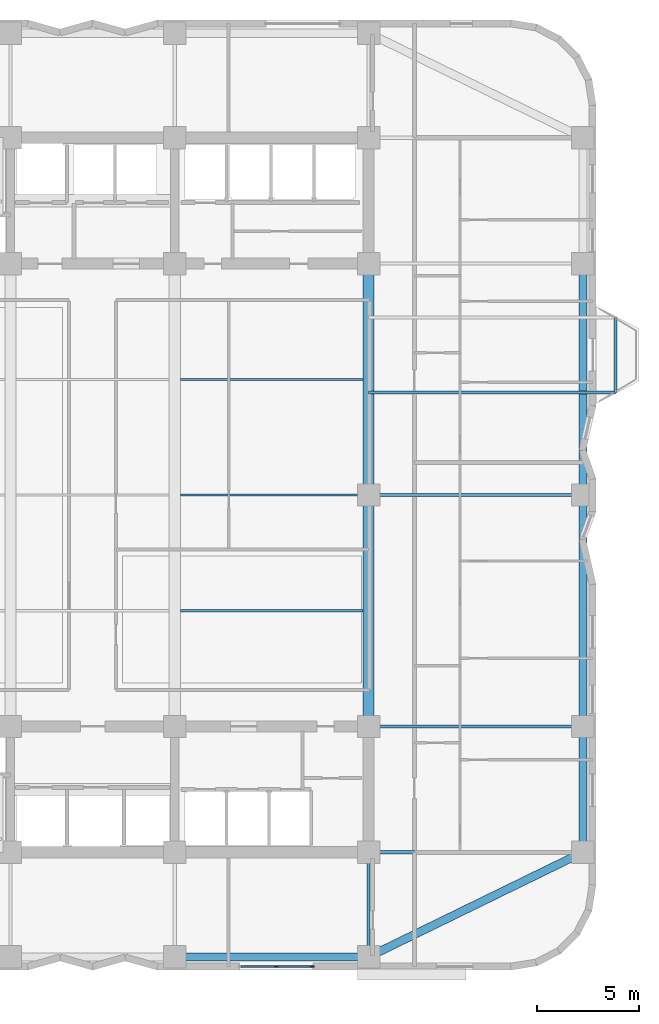
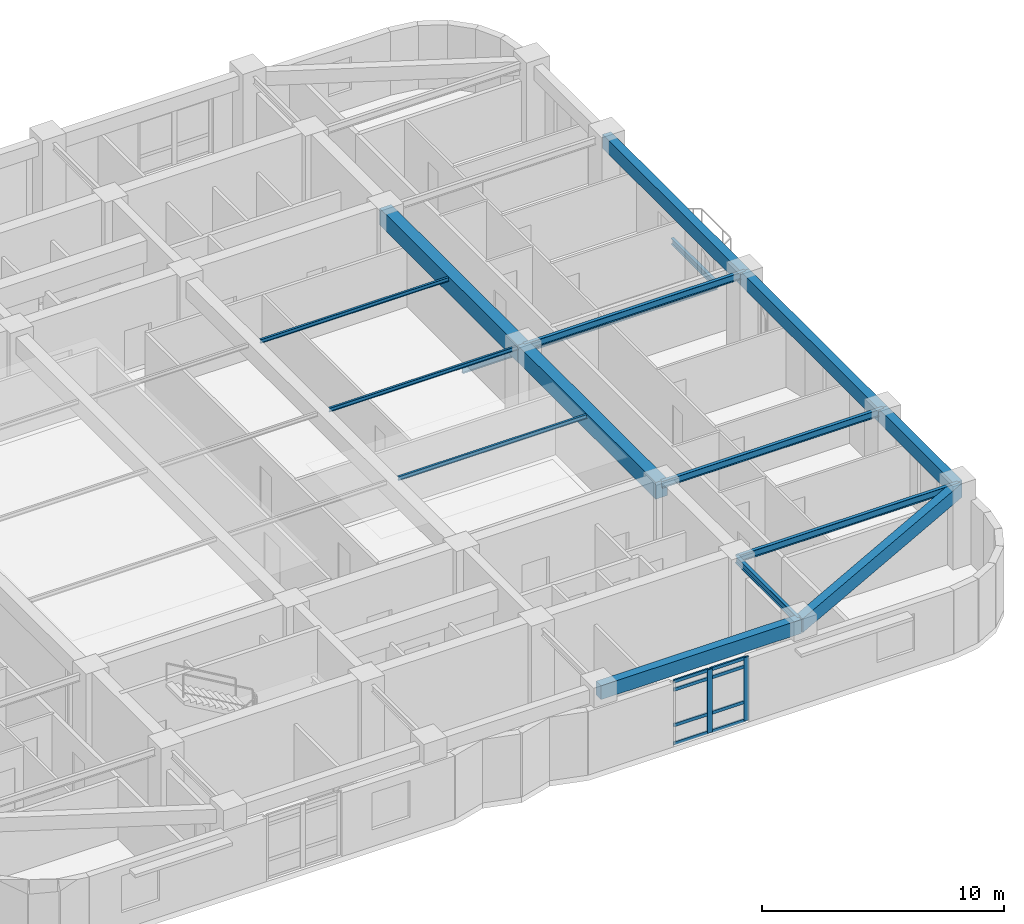
# One storey, part 3 of 15: 16 beams, 10 members, 1 element without a shape of its own.
"""IFC4 building model written with IfcOpenShell, lengths in metres."""

from ifc_helpers import new_model, si_unit, direction, frame, origin, origin_2d, place, context, subcontext, project, spatial, rectangle, i_section, extrude, material, material_profile, profile_set, type_object, element, aggregate, save


model = new_model("IFC4")

# Units and contexts
model_context = context("Model", 3, precision=1e-05, world=origin(), true_north=direction((0.0, 1.0)))
body_context = subcontext(model_context, "Body", "Model", "MODEL_VIEW")
ifc_project = project(units=[si_unit("LENGTHUNIT", "METRE"), si_unit("AREAUNIT", "SQUARE_METRE"), si_unit("VOLUMEUNIT", "CUBIC_METRE"), si_unit("PLANEANGLEUNIT", "RADIAN"), si_unit("MASSUNIT", "GRAM", prefix="KILO")], contexts=[model_context])

# Site, building, storey
site_placement = place(None, origin())
site = spatial("IfcSite", under=ifc_project, at=site_placement, CompositionType="ELEMENT")
building_placement = place(site_placement, origin())
building = spatial("IfcBuilding", under=site, at=building_placement, Name="Svetorya Sky Lyceum", CompositionType="ELEMENT")
storey_placement = place(building_placement, frame((0.0, 0.0, 84.10009765625)))
storey = spatial("IfcBuildingStorey", under=building, at=storey_placement, Name="L20", CompositionType="ELEMENT", Elevation=84.10009765625)

# Beams
ifc_material_1 = material(Name="Concrete C50/60", Category="concrete")
ifc_material_profile_1 = material_profile(ifc_material_1, rectangle(XDim=0.550048828125, YDim=0.85009765625, at=origin_2d()), Name="RC BEAM 550x850")
ifc_profile_set_1 = profile_set([ifc_material_profile_1], Name="Concrete C50/60")
beam_type_1 = type_object("IfcBeamType", Name="BM-RC-850", PredefinedType="BEAM", material=ifc_profile_set_1)
beam_1_placement = place(storey_placement, frame((52.800048828125, 16.800048828125, 3.494873046875), z_axis=(0.0, 1.0, 0.0), x_axis=(-1.0, 0.0, 0.0)))
element("IfcBeam", 1, at=beam_1_placement, inside=storey, type_object=beam_type_1, Name="L20 Central Bay Primary Girder CG-4A", PredefinedType="BEAM", context=body_context, shape_type="SweptSolid", body=[
    extrude(rectangle(XDim=0.550048828125, YDim=0.85009765625, at=origin_2d()), origin(), (0.0, 0.0, 1.0), 11.39990234375),
])
beam_2_placement = place(storey_placement, frame((52.800048828125, 28.199951171875, 3.494873046875), z_axis=(0.0, 1.0, 0.0), x_axis=(-1.0, 0.0, 0.0)))
element("IfcBeam", 2, at=beam_2_placement, inside=storey, type_object=beam_type_1, Name="L20 Central Bay Primary Girder CG-4B", PredefinedType="BEAM", context=body_context, shape_type="SweptSolid", body=[
    extrude(rectangle(XDim=0.550048828125, YDim=0.85009765625, at=origin_2d()), origin(), (0.0, 0.0, 1.0), 11.400146484375),
])
ifc_material_profile_2 = material_profile(ifc_material_1, rectangle(XDim=0.39990234375, YDim=0.699951171875, at=origin_2d()), Name="RC SPANDREL 400x700")
ifc_profile_set_2 = profile_set([ifc_material_profile_2], Name="Concrete C50/60")
beam_type_2 = type_object("IfcBeamType", Name="BM-SPN-700", PredefinedType="SPANDREL", material=ifc_profile_set_2)
beam_3_placement = place(storey_placement, frame((43.25, 5.449951171875, 3.56982421875), z_axis=(1.0, 0.0, 0.0), x_axis=(0.0, 1.0, 0.0)))
element("IfcBeam", 3, at=beam_3_placement, inside=storey, type_object=beam_type_2, Name="L20 South Spandrel 3", PredefinedType="SPANDREL", context=body_context, shape_type="SweptSolid", body=[
    extrude(rectangle(XDim=0.39990234375, YDim=0.699951171875, at=origin_2d()), origin(), (0.0, 0.0, 1.0), 9.550048828125),
])
beam_4_placement = place(storey_placement, frame((52.800048828125, 5.449951171875, 3.56982421875), z_axis=(0.898641495694, 0.438683783854, 0.0), x_axis=(-0.438683783854, 0.898641495694, 0.0)))
element("IfcBeam", 4, at=beam_4_placement, inside=storey, type_object=beam_type_2, Name="L20 Corner Spandrel 2", PredefinedType="SPANDREL", context=body_context, shape_type="SweptSolid", body=[
    extrude(rectangle(XDim=0.39990234375, YDim=0.699951171875, at=origin_2d()), origin(), (0.0, 0.0, 1.0), 11.739990234375),
])
beam_5_placement = place(storey_placement, frame((63.35009765625, 10.60009765625, 3.56982421875), z_axis=(0.0, 1.0, 0.0), x_axis=(-1.0, 0.0, 0.0)))
element("IfcBeam", 5, at=beam_5_placement, inside=storey, type_object=beam_type_2, Name="L20 East Spandrel 1", PredefinedType="SPANDREL", context=body_context, shape_type="SweptSolid", body=[
    extrude(rectangle(XDim=0.39990234375, YDim=0.699951171875, at=origin_2d()), origin(), (0.0, 0.0, 1.0), 6.199951171875),
])
beam_6_placement = place(storey_placement, frame((63.35009765625, 16.800048828125, 3.56982421875), z_axis=(0.0, 1.0, 0.0), x_axis=(-1.0, 0.0, 0.0)))
element("IfcBeam", 6, at=beam_6_placement, inside=storey, type_object=beam_type_2, Name="L20 East Spandrel 2", PredefinedType="SPANDREL", context=body_context, shape_type="SweptSolid", body=[
    extrude(rectangle(XDim=0.39990234375, YDim=0.699951171875, at=origin_2d()), origin(), (0.0, 0.0, 1.0), 11.39990234375),
])
beam_7_placement = place(storey_placement, frame((63.35009765625, 28.199951171875, 3.56982421875), z_axis=(0.0, 1.0, 0.0), x_axis=(-1.0, 0.0, 0.0)))
element("IfcBeam", 7, at=beam_7_placement, inside=storey, type_object=beam_type_2, Name="L20 East Spandrel 3", PredefinedType="SPANDREL", context=body_context, shape_type="SweptSolid", body=[
    extrude(rectangle(XDim=0.39990234375, YDim=0.699951171875, at=origin_2d()), origin(), (0.0, 0.0, 1.0), 11.400146484375),
])
ifc_material_2 = material(Name="Steel S355", Category="steel")
ifc_material_profile_3 = material_profile(ifc_material_2, i_section(OverallWidth=0.10009765625, OverallDepth=0.199951171875, WebThickness=0.005615234375, FlangeThickness=0.008544921875, at=origin_2d()), Name="GOST 20B1")
ifc_profile_set_3 = profile_set([ifc_material_profile_3], Name="Steel S355")
beam_type_3 = type_object("IfcBeamType", Name="BM-STL-20B1", PredefinedType="JOIST", material=ifc_profile_set_3)
for number, where, z_axis, x_axis, name in (
    (8, (43.52490234375, 22.5, 3.81982421875), (1.0, 0.0, 0.0), (0.0, 1.0, 0.0), "L20 Central Floor Joist CJ-1.3"),
    (9, (43.52490234375, 28.199951171875, 3.81982421875), (1.0, 0.0, 0.0), (0.0, 1.0, 0.0), "L20 Central Floor Joist CJ-2.3"),
    (10, (43.52490234375, 33.89990234375, 3.81982421875), (1.0, 0.0, 0.0), (0.0, 1.0, 0.0), "L20 Central Floor Joist CJ-3.3"),
):
    element("IfcBeam", number, at=place(storey_placement, frame(where, z_axis=z_axis, x_axis=x_axis)), inside=storey, type_object=beam_type_3, Name=name, PredefinedType="JOIST", context=body_context, shape_type="SweptSolid", body=[
        extrude(i_section(OverallWidth=0.10009765625, OverallDepth=0.199951171875, WebThickness=0.005615234375, FlangeThickness=0.008544921875, at=origin_2d()), origin(), (0.0, 0.0, 1.0), 9.0),
    ])
ifc_material_profile_4 = material_profile(ifc_material_2, i_section(OverallWidth=0.14990234375, OverallDepth=0.299072265625, WebThickness=0.006591796875, FlangeThickness=0.010498046875, at=origin_2d()), Name="GOST 30B2")
ifc_profile_set_4 = profile_set([ifc_material_profile_4], Name="Steel S355")
beam_type_4 = type_object("IfcBeamType", Name="BM-STL-30B2", PredefinedType="JOIST", material=ifc_profile_set_4)
beam_8_placement = place(storey_placement, frame((64.949951171875, 33.25, -0.45458984375), z_axis=(0.0, 1.0, 0.0), x_axis=(-1.0, 0.0, 0.0)))
element("IfcBeam", 11, at=beam_8_placement, inside=storey, type_object=beam_type_4, Name="L20 Balcony Edge Tie BAL-E1", PredefinedType="JOIST", context=body_context, shape_type="SweptSolid", body=[
    extrude(i_section(OverallWidth=0.14990234375, OverallDepth=0.299072265625, WebThickness=0.006591796875, FlangeThickness=0.010498046875, at=origin_2d()), origin(), (0.0, 0.0, 1.0), 3.699951171875),
])
ifc_material_profile_5 = material_profile(ifc_material_2, i_section(OverallWidth=0.155029296875, OverallDepth=0.34912109375, WebThickness=0.007080078125, FlangeThickness=0.011474609375, at=origin_2d()), Name="GOST 35B2")
ifc_profile_set_5 = profile_set([ifc_material_profile_5], Name="Steel S355")
beam_type_5 = type_object("IfcBeamType", Name="BM-STL-35B2", PredefinedType="JOIST", material=ifc_profile_set_5)
beam_9_placement = place(storey_placement, frame((52.800048828125, 33.25, -0.45458984375), z_axis=(1.0, 0.0, 0.0), x_axis=(0.0, 1.0, 0.0)))
element("IfcBeam", 12, at=beam_9_placement, inside=storey, type_object=beam_type_5, Name="L20 Balcony Cantilever Beam BAL-E1-1", PredefinedType="JOIST", context=body_context, shape_type="SweptSolid", body=[
    extrude(i_section(OverallWidth=0.155029296875, OverallDepth=0.34912109375, WebThickness=0.007080078125, FlangeThickness=0.011474609375, at=origin_2d()), origin(), (0.0, 0.0, 1.0), 12.14990234375),
])
for number, where, z_axis, x_axis, name in (
    (13, (52.800048828125, 10.60009765625, 3.745361328125), (1.0, 0.0, 0.0), (0.0, 1.0, 0.0), "L20 East Wing Floor Joist E1"),
    (14, (52.800048828125, 16.800048828125, 3.745361328125), (1.0, 0.0, 0.0), (0.0, 1.0, 0.0), "L20 East Wing Floor Joist E2"),
    (15, (52.800048828125, 28.199951171875, 3.745361328125), (1.0, 0.0, 0.0), (0.0, 1.0, 0.0), "L20 East Wing Floor Joist E3"),
):
    element("IfcBeam", number, at=place(storey_placement, frame(where, z_axis=z_axis, x_axis=x_axis)), inside=storey, type_object=beam_type_5, Name=name, PredefinedType="JOIST", context=body_context, shape_type="SweptSolid", body=[
        extrude(i_section(OverallWidth=0.155029296875, OverallDepth=0.34912109375, WebThickness=0.007080078125, FlangeThickness=0.011474609375, at=origin_2d()), origin(), (0.0, 0.0, 1.0), 10.550048828125),
    ])
beam_10_placement = place(storey_placement, frame((52.800048828125, 5.449951171875, 3.745361328125), z_axis=(0.0, 1.0, 0.0), x_axis=(-1.0, 0.0, 0.0)))
element("IfcBeam", 16, at=beam_10_placement, inside=storey, type_object=beam_type_5, Name="L20 South Bay Floor Girder S4", PredefinedType="JOIST", context=body_context, shape_type="SweptSolid", body=[
    extrude(i_section(OverallWidth=0.155029296875, OverallDepth=0.34912109375, WebThickness=0.007080078125, FlangeThickness=0.011474609375, at=origin_2d()), origin(), (0.0, 0.0, 1.0), 5.150146484375),
])

# Curtain wall, members
ifc_material_3 = material(Name="Thermally broken anodized aluminium and triple low-E glass", Category="aluminium")
curtain_wall_type = type_object("IfcCurtainWallType", Name="CW4-SKY-GALL", PredefinedType="NOTDEFINED", material=ifc_material_3)
curtain_wall_placement = place(storey_placement, origin())
curtain_wall = element("IfcCurtainWall", 17, at=curtain_wall_placement, inside=storey, type_object=curtain_wall_type, Name="L20 Sky-Lobby Panorama Curtain Wall 11", PredefinedType="NOTDEFINED")
ifc_material_4 = material(Name="Thermally broken anodized aluminium EN AW-6060", Category="aluminium")
ifc_material_profile_6 = material_profile(ifc_material_4, rectangle(XDim=0.0849609375, YDim=0.239990234375, at=origin_2d()), Name="ALU MULLION 85x240")
ifc_profile_set_6 = profile_set([ifc_material_profile_6], Name="Thermally broken anodized aluminium EN AW-6060")
member_type_1 = type_object("IfcMemberType", Name="CWM-MUL-240", PredefinedType="MULLION", material=ifc_profile_set_6)
member_1_placement = place(storey_placement, frame((48.25, 4.969970703125, 0.0), z_axis=(0.0, 0.0, 1.0), x_axis=(0.0, 1.0, 0.0)))
member_1 = element("IfcMember", 18, at=member_1_placement, type_object=member_type_1, Name="CW-4 mullion 2", PredefinedType="MULLION", context=body_context, shape_type="SweptSolid", body=[
    extrude(rectangle(XDim=0.0849609375, YDim=0.239990234375, at=origin_2d()), origin(), (0.0, 0.0, 1.0), 3.199951171875),
])
member_2_placement = place(storey_placement, frame((50.007568359375, 4.969970703125, 0.0), z_axis=(0.0, 0.0, 1.0), x_axis=(0.0, 1.0, 0.0)))
member_2 = element("IfcMember", 19, at=member_2_placement, type_object=member_type_1, Name="CW-4 mullion 3", PredefinedType="MULLION", context=body_context, shape_type="SweptSolid", body=[
    extrude(rectangle(XDim=0.0849609375, YDim=0.239990234375, at=origin_2d()), origin(), (0.0, 0.0, 1.0), 3.199951171875),
])
ifc_material_profile_7 = material_profile(ifc_material_4, rectangle(XDim=0.074951171875, YDim=0.159912109375, at=origin_2d()), Name="ALU TRANSOM 75x160")
ifc_profile_set_7 = profile_set([ifc_material_profile_7], Name="Thermally broken anodized aluminium EN AW-6060")
member_type_2 = type_object("IfcMemberType", Name="CWM-TRN-160", PredefinedType="USERDEFINED", material=ifc_profile_set_7)
member_3_placement = place(storey_placement, frame((46.533447265625, 4.969970703125, 0.037353515625), z_axis=(1.0, 0.0, 0.0), x_axis=(0.0, 1.0, 0.0)))
member_3 = element("IfcMember", 20, at=member_3_placement, type_object=member_type_2, Name="CW-4 transom 1.1", ObjectType="TRANSOM", PredefinedType="USERDEFINED", context=body_context, shape_type="SweptSolid", body=[
    extrude(rectangle(XDim=0.074951171875, YDim=0.159912109375, at=origin_2d()), origin(), (0.0, 0.0, 1.0), 1.675537109375),
])
member_4_placement = place(storey_placement, frame((46.533447265625, 4.969970703125, 0.9599609375), z_axis=(1.0, 0.0, 0.0), x_axis=(0.0, 1.0, 0.0)))
member_4 = element("IfcMember", 21, at=member_4_placement, type_object=member_type_2, Name="CW-4 transom 1.2", ObjectType="TRANSOM", PredefinedType="USERDEFINED", context=body_context, shape_type="SweptSolid", body=[
    extrude(rectangle(XDim=0.074951171875, YDim=0.159912109375, at=origin_2d()), origin(), (0.0, 0.0, 1.0), 1.675537109375),
])
member_5_placement = place(storey_placement, frame((46.533447265625, 4.969970703125, 2.75), z_axis=(1.0, 0.0, 0.0), x_axis=(0.0, 1.0, 0.0)))
member_5 = element("IfcMember", 22, at=member_5_placement, type_object=member_type_2, Name="CW-4 transom 1.3", ObjectType="TRANSOM", PredefinedType="USERDEFINED", context=body_context, shape_type="SweptSolid", body=[
    extrude(rectangle(XDim=0.074951171875, YDim=0.159912109375, at=origin_2d()), origin(), (0.0, 0.0, 1.0), 1.675537109375),
])
member_6_placement = place(storey_placement, frame((46.533447265625, 4.969970703125, 3.162353515625), z_axis=(1.0, 0.0, 0.0), x_axis=(0.0, 1.0, 0.0)))
member_6 = element("IfcMember", 23, at=member_6_placement, type_object=member_type_2, Name="CW-4 transom 1.4", ObjectType="TRANSOM", PredefinedType="USERDEFINED", context=body_context, shape_type="SweptSolid", body=[
    extrude(rectangle(XDim=0.074951171875, YDim=0.159912109375, at=origin_2d()), origin(), (0.0, 0.0, 1.0), 1.675537109375),
])
member_7_placement = place(storey_placement, frame((48.291015625, 4.969970703125, 0.037353515625), z_axis=(1.0, 0.0, 0.0), x_axis=(0.0, 1.0, 0.0)))
member_7 = element("IfcMember", 24, at=member_7_placement, type_object=member_type_2, Name="CW-4 transom 2.1", ObjectType="TRANSOM", PredefinedType="USERDEFINED", context=body_context, shape_type="SweptSolid", body=[
    extrude(rectangle(XDim=0.074951171875, YDim=0.159912109375, at=origin_2d()), origin(), (0.0, 0.0, 1.0), 1.675537109375),
])
member_8_placement = place(storey_placement, frame((48.291015625, 4.969970703125, 0.9599609375), z_axis=(1.0, 0.0, 0.0), x_axis=(0.0, 1.0, 0.0)))
member_8 = element("IfcMember", 25, at=member_8_placement, type_object=member_type_2, Name="CW-4 transom 2.2", ObjectType="TRANSOM", PredefinedType="USERDEFINED", context=body_context, shape_type="SweptSolid", body=[
    extrude(rectangle(XDim=0.074951171875, YDim=0.159912109375, at=origin_2d()), origin(), (0.0, 0.0, 1.0), 1.675537109375),
])
member_9_placement = place(storey_placement, frame((48.291015625, 4.969970703125, 2.75), z_axis=(1.0, 0.0, 0.0), x_axis=(0.0, 1.0, 0.0)))
member_9 = element("IfcMember", 26, at=member_9_placement, type_object=member_type_2, Name="CW-4 transom 2.3", ObjectType="TRANSOM", PredefinedType="USERDEFINED", context=body_context, shape_type="SweptSolid", body=[
    extrude(rectangle(XDim=0.074951171875, YDim=0.159912109375, at=origin_2d()), origin(), (0.0, 0.0, 1.0), 1.675537109375),
])
member_10_placement = place(storey_placement, frame((48.291015625, 4.969970703125, 3.162353515625), z_axis=(1.0, 0.0, 0.0), x_axis=(0.0, 1.0, 0.0)))
member_10 = element("IfcMember", 27, at=member_10_placement, type_object=member_type_2, Name="CW-4 transom 2.4", ObjectType="TRANSOM", PredefinedType="USERDEFINED", context=body_context, shape_type="SweptSolid", body=[
    extrude(rectangle(XDim=0.074951171875, YDim=0.159912109375, at=origin_2d()), origin(), (0.0, 0.0, 1.0), 1.675537109375),
])
aggregate(curtain_wall, [member_1, member_2, member_3, member_4, member_5, member_6, member_7, member_8, member_9, member_10])

save(model, "model.ifc")
